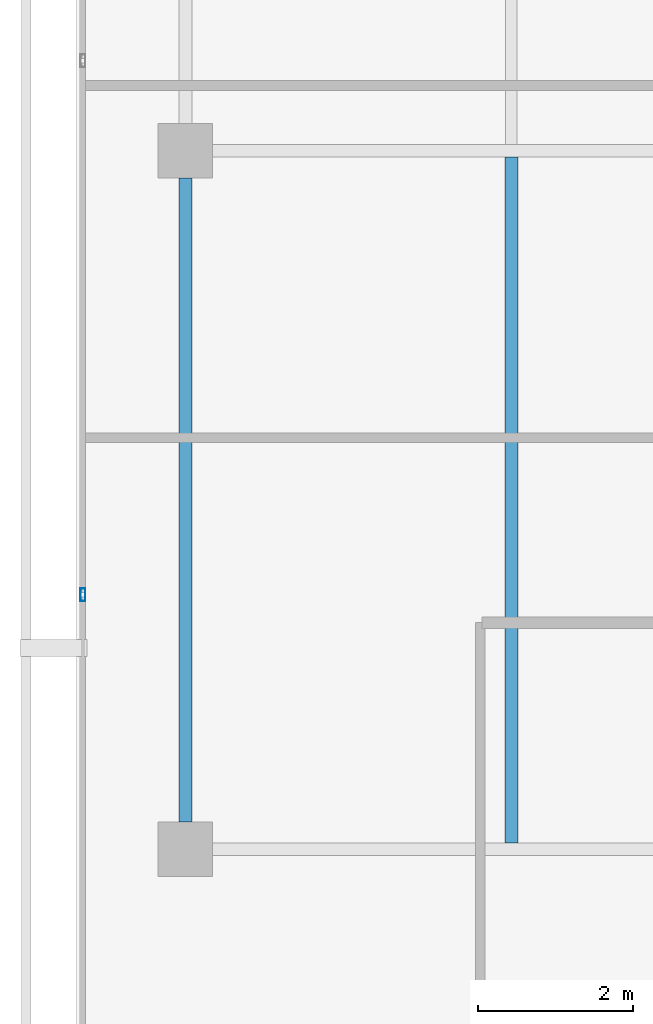
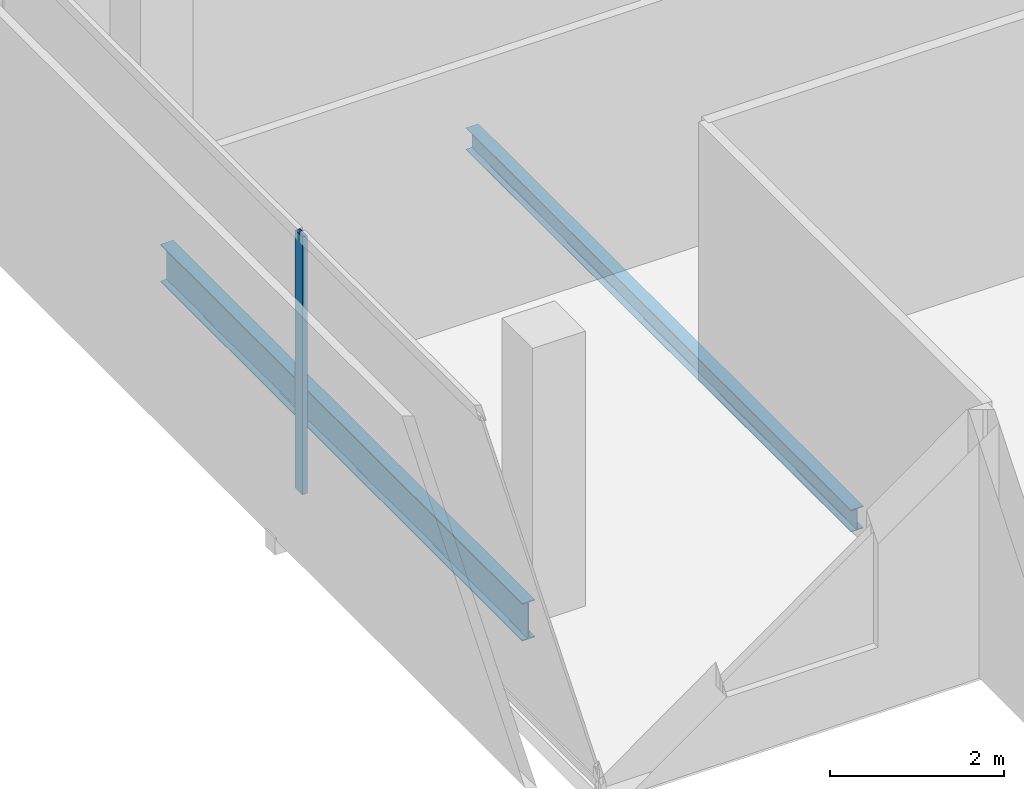
# One storey, part 4 of 26: 2 beams, 1 member, 1 element without a shape of its own.
"""IFC4 building model written with IfcOpenShell, lengths in metres."""

from ifc_helpers import new_model, si_unit, direction, frame, origin, origin_2d, place, context, subcontext, project, spatial, hollow_rectangle, i_section, extrude, material, layer, layer_set, material_profile, profile_set, type_object, element, aggregate, save


model = new_model("IFC4")

# Units and contexts
model_context = context("Model", 3, precision=1e-05, world=origin(), true_north=direction((0.0, 1.0)))
body_context = subcontext(model_context, "Body", "Model", "MODEL_VIEW")
ifc_project = project(units=[si_unit("LENGTHUNIT", "METRE"), si_unit("AREAUNIT", "SQUARE_METRE"), si_unit("VOLUMEUNIT", "CUBIC_METRE"), si_unit("PLANEANGLEUNIT", "RADIAN"), si_unit("MASSUNIT", "GRAM", prefix="KILO")], contexts=[model_context])

# Site, building, storey
site_placement = place(None, origin())
site = spatial("IfcSite", under=ifc_project, at=site_placement, CompositionType="ELEMENT")
building_placement = place(site_placement, origin())
building = spatial("IfcBuilding", under=site, at=building_placement, Name="Maruvema Waterfront Hotel and Observation Tower", CompositionType="ELEMENT")
storey_placement = place(building_placement, frame((0.0, 0.0, 301.0)))
storey = spatial("IfcBuildingStorey", under=building, at=storey_placement, Name="L74", CompositionType="ELEMENT", Elevation=301.0)

# Curtain wall, member
ifc_material_1 = material(Name="Anodised bronze aluminium and solar-control low-E IGU", Category="aluminium")
ifc_layer = layer(ifc_material_1, 0.159912109375, Name="Zone 3 Champagne Inner Thermal Curtain Wall System CW-04")
ifc_layer_set = layer_set([ifc_layer], Name="Anodised bronze aluminium and solar-control low-E IGU")
curtain_wall_type = type_object("IfcCurtainWallType", Name="Zone 3 Champagne Inner Thermal Curtain Wall System CW-04", PredefinedType="USERDEFINED", material=ifc_layer_set)
curtain_wall_placement = place(storey_placement, origin())
curtain_wall = element("IfcCurtainWall", 1, at=curtain_wall_placement, inside=storey, type_object=curtain_wall_type, Name="L74 Curtain Wall CW-L74-W", ObjectType="UNITISED CURTAIN WALL", PredefinedType="USERDEFINED")
ifc_material_2 = material(Name="Anodised architectural bronze aluminium", Category="aluminium")
ifc_material_profile_1 = material_profile(ifc_material_2, hollow_rectangle(XDim=0.06494140625, YDim=0.1650390625, WallThickness=0.00390625, at=origin_2d()), Name="ALU-M65x165")
ifc_profile_set_1 = profile_set([ifc_material_profile_1], Name="Anodised architectural bronze aluminium")
member_type = type_object("IfcMemberType", Name="Curtain Wall Primary Mullion ALU-M65x165", PredefinedType="MULLION", material=ifc_profile_set_1)
member_placement = place(storey_placement, frame((15.47998046875, 21.280029296875, 0.0), z_axis=(0.0, 0.0, 1.0), x_axis=(1.0, 0.0, 0.0)))
member = element("IfcMember", 2, at=member_placement, type_object=member_type, Name="CW-04 mullion 5", PredefinedType="MULLION", context=body_context, shape_type="SweptSolid", body=[
    extrude(hollow_rectangle(XDim=0.06494140625, YDim=0.1650390625, WallThickness=0.00390625, at=origin_2d()), origin(), (0.0, 0.0, 1.0), 3.610107421875),
])
aggregate(curtain_wall, [member])

# Beams
ifc_material_3 = material(Name="Steel ASTM A572 Grade 50", Category="steel")
ifc_material_profile_2 = material_profile(ifc_material_3, i_section(OverallWidth=0.166015625, OverallDepth=0.529052734375, WebThickness=0.009765625, FlangeThickness=0.013671875, FilletRadius=0.014892578125, at=origin_2d()), Name="W530x74.0")
ifc_profile_set_2 = profile_set([ifc_material_profile_2], Name="Steel ASTM A572 Grade 50")
beam_type_1 = type_object("IfcBeamType", Name="Primary Floor Girder W530x74.0", PredefinedType="BEAM", material=ifc_profile_set_2)
beam_1_placement = place(storey_placement, frame((16.800048828125, 18.35009765625, -0.50439453125), z_axis=(0.0, 1.0, 0.0), x_axis=(-1.0, 0.0, 0.0)))
element("IfcBeam", 3, at=beam_1_placement, inside=storey, type_object=beam_type_1, Name="L74 Floor Girder NS-01", PredefinedType="BEAM", context=body_context, shape_type="SweptSolid", body=[
    extrude(i_section(OverallWidth=0.166015625, OverallDepth=0.529052734375, WebThickness=0.009765625, FlangeThickness=0.013671875, FilletRadius=0.014892578125, at=origin_2d()), origin(), (0.0, 0.0, 1.0), 8.2998046875),
])
ifc_material_4 = material(Name="Steel ASTM A572 Grade 50", Category="steel")
ifc_material_profile_3 = material_profile(ifc_material_4, i_section(OverallWidth=0.1650390625, OverallDepth=0.31005859375, WebThickness=0.005859375, FlangeThickness=0.009765625, FilletRadius=0.012939453125, at=origin_2d()), Name="W310x38.7")
ifc_profile_set_3 = profile_set([ifc_material_profile_3], Name="Steel ASTM A572 Grade 50")
beam_type_2 = type_object("IfcBeamType", Name="Secondary Floor Joist W310x38.7", PredefinedType="JOIST", material=ifc_profile_set_3)
beam_2_placement = place(storey_placement, frame((21.0, 18.0830078125, -0.39501953125), z_axis=(0.0, 1.0, 0.0), x_axis=(-1.0, 0.0, 0.0)))
element("IfcBeam", 4, at=beam_2_placement, inside=storey, type_object=beam_type_2, Name="L74 Secondary Floor Joist JS-01", PredefinedType="JOIST", context=body_context, shape_type="SweptSolid", body=[
    extrude(i_section(OverallWidth=0.1650390625, OverallDepth=0.31005859375, WebThickness=0.005859375, FlangeThickness=0.009765625, FilletRadius=0.012939453125, at=origin_2d()), origin(), (0.0, 0.0, 1.0), 8.833984375),
])

save(model, "model.ifc")
